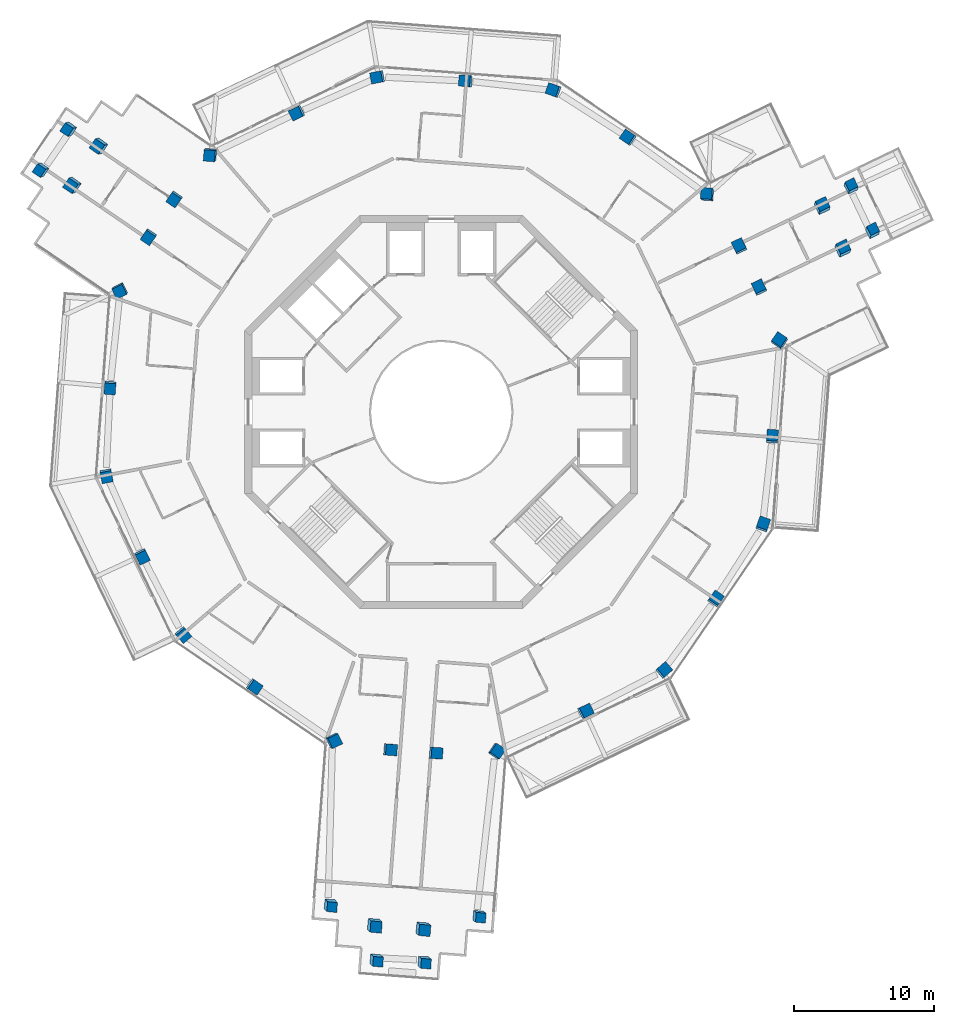
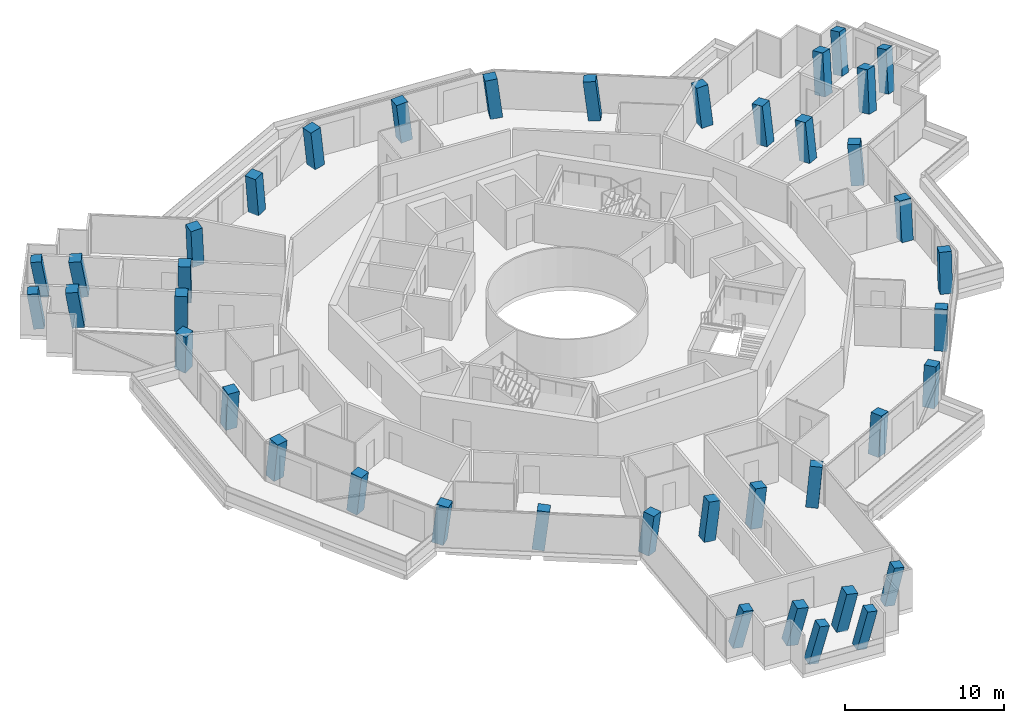
# One storey, part 1 of 23: 41 columns.
"""IFC4 building model written with IfcOpenShell, lengths in metres."""

from ifc_helpers import new_model, si_unit, direction, frame, origin, origin_2d, place, context, subcontext, project, spatial, rectangle, extrude, material, material_profile, profile_set, type_object, element, save


model = new_model("IFC4")

# Units and contexts
model_context = context("Model", 3, precision=1e-05, world=origin(), true_north=direction((0.0, 1.0)))
body_context = subcontext(model_context, "Body", "Model", "MODEL_VIEW")
ifc_project = project(units=[si_unit("LENGTHUNIT", "METRE"), si_unit("AREAUNIT", "SQUARE_METRE"), si_unit("VOLUMEUNIT", "CUBIC_METRE"), si_unit("PLANEANGLEUNIT", "RADIAN"), si_unit("MASSUNIT", "GRAM", prefix="KILO")], contexts=[model_context])

# Site, building, storey
site_placement = place(None, origin())
site = spatial("IfcSite", under=ifc_project, at=site_placement, CompositionType="ELEMENT")
building_placement = place(site_placement, origin())
building = spatial("IfcBuilding", under=site, at=building_placement, Name="Verdalira Terraces Hotel", CompositionType="ELEMENT")
storey_placement = place(building_placement, frame((0.0, 0.0, 259.5)))
storey = spatial("IfcBuildingStorey", under=building, at=storey_placement, Name="L64", CompositionType="ELEMENT", Elevation=259.5)

# Columns
ifc_material_1 = material(Name="Concrete C50", Category="concrete")
ifc_material_profile_1 = material_profile(ifc_material_1, rectangle(XDim=0.699951, YDim=0.699951, at=origin_2d()), Name="RC 700X700")
ifc_profile_set_1 = profile_set([ifc_material_profile_1], Name="Concrete C50")
column_type_1 = type_object("IfcColumnType", Name="Column RC 700X700 C50", PredefinedType="COLUMN", material=ifc_profile_set_1)
column_1_placement = place(storey_placement, frame((-7.963379, -35.057861, 0.0), z_axis=(0.155675763, -0.170324805, 0.973013113), x_axis=(-0.101244691, -0.982585995, -0.155802036)))
element("IfcColumn", 1, at=column_1_placement, inside=storey, type_object=column_type_1, Name="Column C08", PredefinedType="COLUMN", context=body_context, shape_type="SweptSolid", body=[
    extrude(rectangle(XDim=0.699951, YDim=0.699951, at=origin_2d()), origin(), (0.0, 0.0, 1.0), 3.083252),
])
column_2_placement = place(storey_placement, frame((-4.709229, -38.974121, 0.0), z_axis=(0.173721874, -0.154964661, 0.97252592), x_axis=(0.981965699, -0.047542922, -0.182983704)))
element("IfcColumn", 2, at=column_2_placement, inside=storey, type_object=column_type_1, Name="Column C09", PredefinedType="COLUMN", context=body_context, shape_type="SweptSolid", body=[
    extrude(rectangle(XDim=0.699951, YDim=0.699951, at=origin_2d()), origin(), (0.0, 0.0, 1.0), 3.084717),
])
column_3_placement = place(storey_placement, frame((-1.291504, -39.13208, 0.0), z_axis=(0.174746807, -0.139289783, 0.974711193), x_axis=(0.981796104, -0.050183741, -0.183188433)))
element("IfcColumn", 3, at=column_3_placement, inside=storey, type_object=column_type_1, Name="Column C10", PredefinedType="COLUMN", context=body_context, shape_type="SweptSolid", body=[
    extrude(rectangle(XDim=0.699951, YDim=0.699951, at=origin_2d()), origin(), (0.0, 0.0, 1.0), 3.077881),
])
column_4_placement = place(storey_placement, frame((2.625, -35.877686, 0.0), z_axis=(0.16014919, -0.121805855, 0.979548657), x_axis=(0.093488813, 0.98976803, 0.107791872)))
element("IfcColumn", 4, at=column_4_placement, inside=storey, type_object=column_type_1, Name="Column C11", PredefinedType="COLUMN", context=body_context, shape_type="SweptSolid", body=[
    extrude(rectangle(XDim=0.699951, YDim=0.699951, at=origin_2d()), origin(), (0.0, 0.0, 1.0), 3.062744),
])
column_5_placement = place(storey_placement, frame((30.699707, 12.808594, 0.0), z_axis=(0.059958925, 0.203892152, 0.977155524), x_axis=(-0.448378173, 0.88010279, -0.156128451)))
element("IfcColumn", 5, at=column_5_placement, inside=storey, type_object=column_type_1, Name="Column C19", PredefinedType="COLUMN", context=body_context, shape_type="SweptSolid", body=[
    extrude(rectangle(XDim=0.699951, YDim=0.699951, at=origin_2d()), origin(), (0.0, 0.0, 1.0), 3.070068),
])
column_6_placement = place(storey_placement, frame((29.174561, 15.981201, 0.0), z_axis=(0.045190794, 0.196942594, 0.979372966), x_axis=(-0.446286697, 0.881084203, -0.156584839)))
element("IfcColumn", 6, at=column_6_placement, inside=storey, type_object=column_type_1, Name="Column C20", PredefinedType="COLUMN", context=body_context, shape_type="SweptSolid", body=[
    extrude(rectangle(XDim=0.699951, YDim=0.699951, at=origin_2d()), origin(), (0.0, 0.0, 1.0), 3.063232),
])
column_7_placement = place(storey_placement, frame((-26.442627, 20.182617, 0.0), z_axis=(-0.206441068, -0.050099335, 0.977175594), x_axis=(-0.537611569, -0.82862469, -0.156060643)))
element("IfcColumn", 7, at=column_7_placement, inside=storey, type_object=column_type_1, Name="Column C28", PredefinedType="COLUMN", context=body_context, shape_type="SweptSolid", body=[
    extrude(rectangle(XDim=0.699951, YDim=0.699951, at=origin_2d()), origin(), (0.0, 0.0, 1.0), 3.070068),
])
column_8_placement = place(storey_placement, frame((-28.427246, 17.275391, 0.0), z_axis=(-0.193271215, -0.059376105, 0.979347086), x_axis=(-0.539860122, -0.82704401, -0.156682014)))
element("IfcColumn", 8, at=column_8_placement, inside=storey, type_object=column_type_1, Name="Column C29", PredefinedType="COLUMN", context=body_context, shape_type="SweptSolid", body=[
    extrude(rectangle(XDim=0.699951, YDim=0.699951, at=origin_2d()), origin(), (0.0, 0.0, 1.0), 3.063232),
])
ifc_material_2 = material(Name="Concrete C50", Category="concrete")
ifc_material_profile_2 = material_profile(ifc_material_2, rectangle(XDim=0.800049, YDim=0.800049, at=origin_2d()), Name="RC 800X800")
ifc_profile_set_2 = profile_set([ifc_material_profile_2], Name="Concrete C50")
column_type_2 = type_object("IfcColumnType", Name="Column RC 800X800 C50", PredefinedType="COLUMN", material=ifc_profile_set_2)
column_9_placement = place(storey_placement, frame((-22.888184, 8.699219, 0.0), z_axis=(-0.040413341, -0.109196848, 0.993198273), x_axis=(-0.438378748, 0.895170757, 0.080581569)))
element("IfcColumn", 9, at=column_9_placement, inside=storey, type_object=column_type_2, Name="Column C01", PredefinedType="COLUMN", context=body_context, shape_type="SweptSolid", body=[
    extrude(rectangle(XDim=0.800049, YDim=0.800049, at=origin_2d()), origin(), (0.0, 0.0, 1.0), 3.020508),
])
column_10_placement = place(storey_placement, frame((-23.591064, 1.781982, 0.0), z_axis=(-0.007601181, -0.112238709, 0.9936522), x_axis=(-0.075549588, -0.990776389, -0.112491804)))
element("IfcColumn", 10, at=column_10_placement, inside=storey, type_object=column_type_2, Name="Column C02", PredefinedType="COLUMN", context=body_context, shape_type="SweptSolid", body=[
    extrude(rectangle(XDim=0.800049, YDim=0.800049, at=origin_2d()), origin(), (0.0, 0.0, 1.0), 3.019287),
])
column_11_placement = place(storey_placement, frame((-23.865234, -4.500732, 0.0), z_axis=(0.022391395, -0.113331177, 0.993304923), x_axis=(-0.184250053, 0.976067383, 0.115517882)))
element("IfcColumn", 11, at=column_11_placement, inside=storey, type_object=column_type_2, Name="Column C03", PredefinedType="COLUMN", context=body_context, shape_type="SweptSolid", body=[
    extrude(rectangle(XDim=0.800049, YDim=0.800049, at=origin_2d()), origin(), (0.0, 0.0, 1.0), 3.020264),
])
column_12_placement = place(storey_placement, frame((-21.321533, -10.252197, 0.0), z_axis=(0.049569338, -0.100998536, 0.993650933), x_axis=(0.430206945, -0.895692503, -0.112502994)))
element("IfcColumn", 12, at=column_12_placement, inside=storey, type_object=column_type_2, Name="Column C04", PredefinedType="COLUMN", context=body_context, shape_type="SweptSolid", body=[
    extrude(rectangle(XDim=0.800049, YDim=0.800049, at=origin_2d()), origin(), (0.0, 0.0, 1.0), 3.019287),
])
column_13_placement = place(storey_placement, frame((-18.41748, -15.830322, 0.0), z_axis=(0.075985477, -0.086979121, 0.993308029), x_axis=(-0.647132727, 0.75357881, 0.115491175)))
element("IfcColumn", 13, at=column_13_placement, inside=storey, type_object=column_type_2, Name="Column C05", PredefinedType="COLUMN", context=body_context, shape_type="SweptSolid", body=[
    extrude(rectangle(XDim=0.800049, YDim=0.800049, at=origin_2d()), origin(), (0.0, 0.0, 1.0), 3.020264),
])
column_14_placement = place(storey_placement, frame((-13.338867, -19.539551, 0.0), z_axis=(0.093477865, -0.062668984, 0.993647064), x_axis=(0.820609145, -0.560299936, -0.11253716)))
element("IfcColumn", 14, at=column_14_placement, inside=storey, type_object=column_type_2, Name="Column C06", PredefinedType="COLUMN", context=body_context, shape_type="SweptSolid", body=[
    extrude(rectangle(XDim=0.800049, YDim=0.800049, at=origin_2d()), origin(), (0.0, 0.0, 1.0), 3.019287),
])
column_15_placement = place(storey_placement, frame((-7.684326, -23.399658, 0.0), z_axis=(0.111532516, -0.035561092, 0.993124316), x_axis=(-0.426004708, 0.901167169, 0.080110681)))
element("IfcColumn", 15, at=column_15_placement, inside=storey, type_object=column_type_2, Name="Column C07", PredefinedType="COLUMN", context=body_context, shape_type="SweptSolid", body=[
    extrude(rectangle(XDim=0.800049, YDim=0.800049, at=origin_2d()), origin(), (0.0, 0.0, 1.0), 3.020752),
])
column_16_placement = place(storey_placement, frame((3.9104, -24.171143, 0.0), z_axis=(0.114774159, 0.019479276, 0.993200609), x_axis=(-0.55689455, -0.826666373, 0.080567778)))
element("IfcColumn", 16, at=column_16_placement, inside=storey, type_object=column_type_2, Name="Column C12", PredefinedType="COLUMN", context=body_context, shape_type="SweptSolid", body=[
    extrude(rectangle(XDim=0.800049, YDim=0.800049, at=origin_2d()), origin(), (0.0, 0.0, 1.0), 3.020508),
])
column_17_placement = place(storey_placement, frame((10.252197, -21.321533, 0.0), z_axis=(0.100998536, 0.049569338, 0.993650933), x_axis=(0.895692503, 0.430206945, -0.112502994)))
element("IfcColumn", 17, at=column_17_placement, inside=storey, type_object=column_type_2, Name="Column C13", PredefinedType="COLUMN", context=body_context, shape_type="SweptSolid", body=[
    extrude(rectangle(XDim=0.800049, YDim=0.800049, at=origin_2d()), origin(), (0.0, 0.0, 1.0), 3.019287),
])
column_18_placement = place(storey_placement, frame((15.830322, -18.41748, 0.0), z_axis=(0.086979121, 0.075985477, 0.993308029), x_axis=(-0.75357881, -0.647132727, 0.115491175)))
element("IfcColumn", 18, at=column_18_placement, inside=storey, type_object=column_type_2, Name="Column C14", PredefinedType="COLUMN", context=body_context, shape_type="SweptSolid", body=[
    extrude(rectangle(XDim=0.800049, YDim=0.800049, at=origin_2d()), origin(), (0.0, 0.0, 1.0), 3.020264),
])
column_19_placement = place(storey_placement, frame((19.539551, -13.338867, 0.0), z_axis=(0.062668984, 0.093477865, 0.993647064), x_axis=(0.560299936, 0.820609145, -0.11253716)))
element("IfcColumn", 19, at=column_19_placement, inside=storey, type_object=column_type_2, Name="Column C15", PredefinedType="COLUMN", context=body_context, shape_type="SweptSolid", body=[
    extrude(rectangle(XDim=0.800049, YDim=0.800049, at=origin_2d()), origin(), (0.0, 0.0, 1.0), 3.019287),
])
column_20_placement = place(storey_placement, frame((22.918213, -8.034912, 0.0), z_axis=(0.037265005, 0.109369959, 0.993302336), x_axis=(-0.328328413, -0.937470498, 0.115540119)))
element("IfcColumn", 20, at=column_20_placement, inside=storey, type_object=column_type_2, Name="Column C16", PredefinedType="COLUMN", context=body_context, shape_type="SweptSolid", body=[
    extrude(rectangle(XDim=0.800049, YDim=0.800049, at=origin_2d()), origin(), (0.0, 0.0, 1.0), 3.020264),
])
column_21_placement = place(storey_placement, frame((23.591064, -1.781982, 0.0), z_axis=(0.007601181, 0.112238709, 0.9936522), x_axis=(0.075549588, 0.990776389, -0.112491804)))
element("IfcColumn", 21, at=column_21_placement, inside=storey, type_object=column_type_2, Name="Column C17", PredefinedType="COLUMN", context=body_context, shape_type="SweptSolid", body=[
    extrude(rectangle(XDim=0.800049, YDim=0.800049, at=origin_2d()), origin(), (0.0, 0.0, 1.0), 3.019287),
])
column_22_placement = place(storey_placement, frame((24.106689, 5.044922, 0.0), z_axis=(-0.024892838, 0.114361579, 0.993127271), x_axis=(-0.567941472, -0.81916269, 0.080093525)))
element("IfcColumn", 22, at=column_22_placement, inside=storey, type_object=column_type_2, Name="Column C18", PredefinedType="COLUMN", context=body_context, shape_type="SweptSolid", body=[
    extrude(rectangle(XDim=0.800049, YDim=0.800049, at=origin_2d()), origin(), (0.0, 0.0, 1.0), 3.020752),
])
column_23_placement = place(storey_placement, frame((18.977783, 15.472168, 0.0), z_axis=(-0.074360285, 0.089636475, 0.99319477), x_axis=(0.994413734, -0.068151324, 0.08060225)))
element("IfcColumn", 23, at=column_23_placement, inside=storey, type_object=column_type_2, Name="Column C21", PredefinedType="COLUMN", context=body_context, shape_type="SweptSolid", body=[
    extrude(rectangle(XDim=0.800049, YDim=0.800049, at=origin_2d()), origin(), (0.0, 0.0, 1.0), 3.020508),
])
column_24_placement = place(storey_placement, frame((13.338867, 19.539551, 0.0), z_axis=(-0.093477865, 0.062668984, 0.993647064), x_axis=(-0.820609145, 0.560299936, -0.11253716)))
element("IfcColumn", 24, at=column_24_placement, inside=storey, type_object=column_type_2, Name="Column C22", PredefinedType="COLUMN", context=body_context, shape_type="SweptSolid", body=[
    extrude(rectangle(XDim=0.800049, YDim=0.800049, at=origin_2d()), origin(), (0.0, 0.0, 1.0), 3.019287),
])
column_25_placement = place(storey_placement, frame((8.034912, 22.918213, 0.0), z_axis=(-0.109369959, 0.037265005, 0.993302336), x_axis=(0.937470498, -0.328328413, 0.115540119)))
element("IfcColumn", 25, at=column_25_placement, inside=storey, type_object=column_type_2, Name="Column C23", PredefinedType="COLUMN", context=body_context, shape_type="SweptSolid", body=[
    extrude(rectangle(XDim=0.800049, YDim=0.800049, at=origin_2d()), origin(), (0.0, 0.0, 1.0), 3.020264),
])
column_26_placement = place(storey_placement, frame((1.781982, 23.591064, 0.0), z_axis=(-0.112238709, 0.007601181, 0.9936522), x_axis=(-0.990776389, 0.075549588, -0.112491804)))
element("IfcColumn", 26, at=column_26_placement, inside=storey, type_object=column_type_2, Name="Column C24", PredefinedType="COLUMN", context=body_context, shape_type="SweptSolid", body=[
    extrude(rectangle(XDim=0.800049, YDim=0.800049, at=origin_2d()), origin(), (0.0, 0.0, 1.0), 3.019287),
])
column_27_placement = place(storey_placement, frame((-4.500732, 23.865234, 0.0), z_axis=(-0.113331177, -0.022391395, 0.993304923), x_axis=(0.976067383, 0.184250053, 0.115517882)))
element("IfcColumn", 27, at=column_27_placement, inside=storey, type_object=column_type_2, Name="Column C25", PredefinedType="COLUMN", context=body_context, shape_type="SweptSolid", body=[
    extrude(rectangle(XDim=0.800049, YDim=0.800049, at=origin_2d()), origin(), (0.0, 0.0, 1.0), 3.020264),
])
column_28_placement = place(storey_placement, frame((-10.252197, 21.321533, 0.0), z_axis=(-0.100998536, -0.049569338, 0.993650933), x_axis=(-0.895692503, -0.430206945, -0.112502994)))
element("IfcColumn", 28, at=column_28_placement, inside=storey, type_object=column_type_2, Name="Column C26", PredefinedType="COLUMN", context=body_context, shape_type="SweptSolid", body=[
    extrude(rectangle(XDim=0.800049, YDim=0.800049, at=origin_2d()), origin(), (0.0, 0.0, 1.0), 3.019287),
])
column_29_placement = place(storey_placement, frame((-16.422363, 18.354736, 0.0), z_axis=(-0.08663924, -0.078799682, 0.993118448), x_axis=(0.993392134, -0.082151617, 0.080144738)))
element("IfcColumn", 29, at=column_29_placement, inside=storey, type_object=column_type_2, Name="Column C27", PredefinedType="COLUMN", context=body_context, shape_type="SweptSolid", body=[
    extrude(rectangle(XDim=0.800049, YDim=0.800049, at=origin_2d()), origin(), (0.0, 0.0, 1.0), 3.020752),
])
for number, where, z_axis, x_axis, name in (
    (30, (-18.988281, 15.210449, 0.0), (-0.071618191, -0.090937319, 0.993278027), (-0.825302883, 0.564636266, -0.007812708), "Column C30"),
    (31, (-20.824219, 12.520996, 0.0), (-0.058767009, -0.099507824, 0.99329987), (-0.826097159, 0.563476815, 0.007573838), "Column C31"),
):
    element("IfcColumn", number, at=place(storey_placement, frame(where, z_axis=z_axis, x_axis=x_axis)), inside=storey, type_object=column_type_2, Name=name, PredefinedType="COLUMN", context=body_context, shape_type="SweptSolid", body=[
        extrude(rectangle(XDim=0.800049, YDim=0.800049, at=origin_2d()), origin(), (0.0, 0.0, 1.0), 3.020264),
    ])
column_30_placement = place(storey_placement, frame((-24.290527, 18.97168, 0.0), z_axis=(-0.201195639, -0.039904598, 0.978737931), x_axis=(-0.805214589, 0.575717496, -0.142052212)))
element("IfcColumn", 32, at=column_30_placement, inside=storey, type_object=column_type_2, Name="Column C32", PredefinedType="COLUMN", context=body_context, shape_type="SweptSolid", body=[
    extrude(rectangle(XDim=0.800049, YDim=0.800049, at=origin_2d()), origin(), (0.0, 0.0, 1.0), 3.065186),
])
column_31_placement = place(storey_placement, frame((-26.192383, 16.185547, 0.0), z_axis=(-0.188539028, -0.048850925, 0.980849949), x_axis=(-0.808333201, 0.574920311, -0.126744124)))
element("IfcColumn", 33, at=column_31_placement, inside=storey, type_object=column_type_2, Name="Column C33", PredefinedType="COLUMN", context=body_context, shape_type="SweptSolid", body=[
    extrude(rectangle(XDim=0.800049, YDim=0.800049, at=origin_2d()), origin(), (0.0, 0.0, 1.0), 3.058594),
])
for number, where, z_axis, x_axis, name in (
    (34, (-3.678467, -24.049561, 0.0), (0.11454087, -0.016570839, 0.993280321), (-0.076504373, -0.997038647, -0.007811379), "Column C34"),
    (35, (-0.431396, -24.294922, 0.0), (0.115593534, -0.00105085, 0.993296044), (-0.074166173, -0.997217119, 0.007575993), "Column C35"),
):
    element("IfcColumn", number, at=place(storey_placement, frame(where, z_axis=z_axis, x_axis=x_axis)), inside=storey, type_object=column_type_2, Name=name, PredefinedType="COLUMN", context=body_context, shape_type="SweptSolid", body=[
        extrude(rectangle(XDim=0.800049, YDim=0.800049, at=origin_2d()), origin(), (0.0, 0.0, 1.0), 3.020264),
    ])
column_32_placement = place(storey_placement, frame((-4.836914, -36.497559, 0.0), z_axis=(0.162466384, -0.155885267, 0.974322563), x_axis=(-0.099583734, -0.984990278, -0.140986639)))
element("IfcColumn", 36, at=column_32_placement, inside=storey, type_object=column_type_2, Name="Column C36", PredefinedType="COLUMN", context=body_context, shape_type="SweptSolid", body=[
    extrude(rectangle(XDim=0.800049, YDim=0.800049, at=origin_2d()), origin(), (0.0, 0.0, 1.0), 3.079102),
])
column_33_placement = place(storey_placement, frame((-1.372803, -36.759277, 0.0), z_axis=(0.16393911, -0.140019735, 0.976482689), x_axis=(-0.096824268, -0.987379504, -0.125326678)))
element("IfcColumn", 37, at=column_33_placement, inside=storey, type_object=column_type_2, Name="Column C37", PredefinedType="COLUMN", context=body_context, shape_type="SweptSolid", body=[
    extrude(rectangle(XDim=0.800049, YDim=0.800049, at=origin_2d()), origin(), (0.0, 0.0, 1.0), 3.072266),
])
for number, where, z_axis, x_axis, name in (
    (38, (22.666748, 8.839111, 0.0), (-0.042922754, 0.107428136, 0.993285877), (0.901629249, 0.43243928, -0.00780816), "Column C38"),
    (39, (21.255615, 11.773926, 0.0), (-0.056826906, 0.1006394, 0.993298754), (0.900907093, 0.433945892, 0.007574467), "Column C39"),
):
    element("IfcColumn", number, at=place(storey_placement, frame(where, z_axis=z_axis, x_axis=x_axis)), inside=storey, type_object=column_type_2, Name=name, PredefinedType="COLUMN", context=body_context, shape_type="SweptSolid", body=[
        extrude(rectangle(XDim=0.800049, YDim=0.800049, at=origin_2d()), origin(), (0.0, 0.0, 1.0), 3.020264),
    ])
column_34_placement = place(storey_placement, frame((28.575195, 11.550293, 0.0), z_axis=(0.066028867, 0.194263458, 0.978724628), x_axis=(0.901124969, 0.409612585, -0.142096166)))
element("IfcColumn", 40, at=column_34_placement, inside=storey, type_object=column_type_2, Name="Column C40", PredefinedType="COLUMN", context=body_context, shape_type="SweptSolid", body=[
    extrude(rectangle(XDim=0.800049, YDim=0.800049, at=origin_2d()), origin(), (0.0, 0.0, 1.0), 3.065186),
])
column_35_placement = place(storey_placement, frame((27.113281, 14.590576, 0.0), z_axis=(0.051964402, 0.187662535, 0.980858029), x_axis=(0.902089734, 0.412524849, -0.126717638)))
element("IfcColumn", 41, at=column_35_placement, inside=storey, type_object=column_type_2, Name="Column C41", PredefinedType="COLUMN", context=body_context, shape_type="SweptSolid", body=[
    extrude(rectangle(XDim=0.800049, YDim=0.800049, at=origin_2d()), origin(), (0.0, 0.0, 1.0), 3.058594),
])

save(model, "model.ifc")
